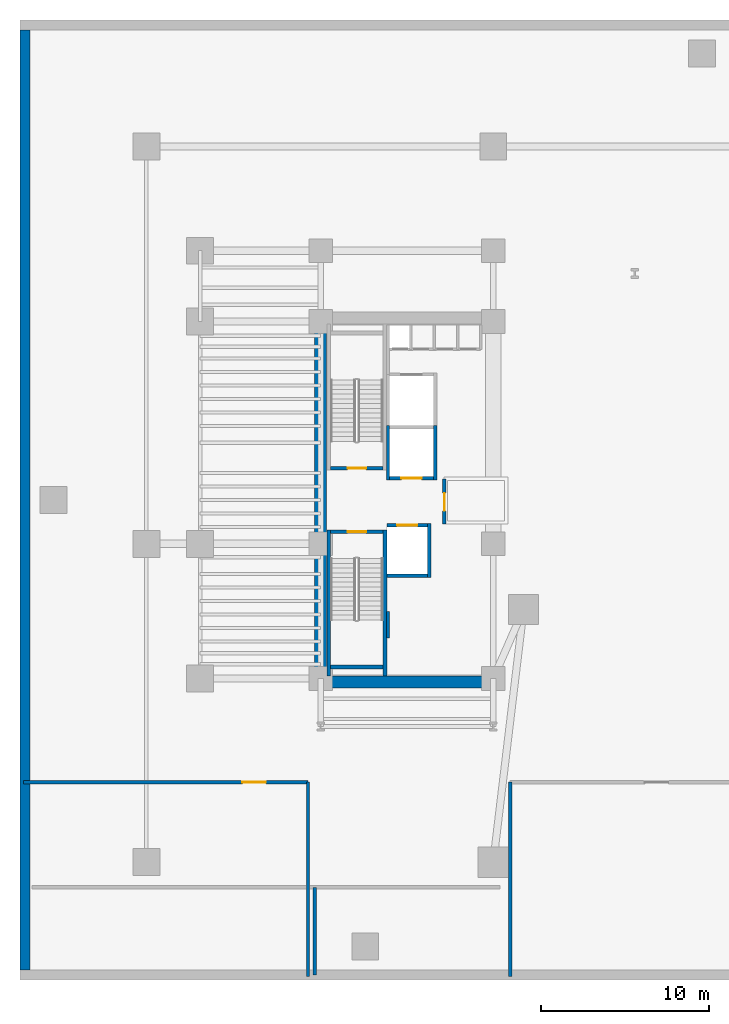
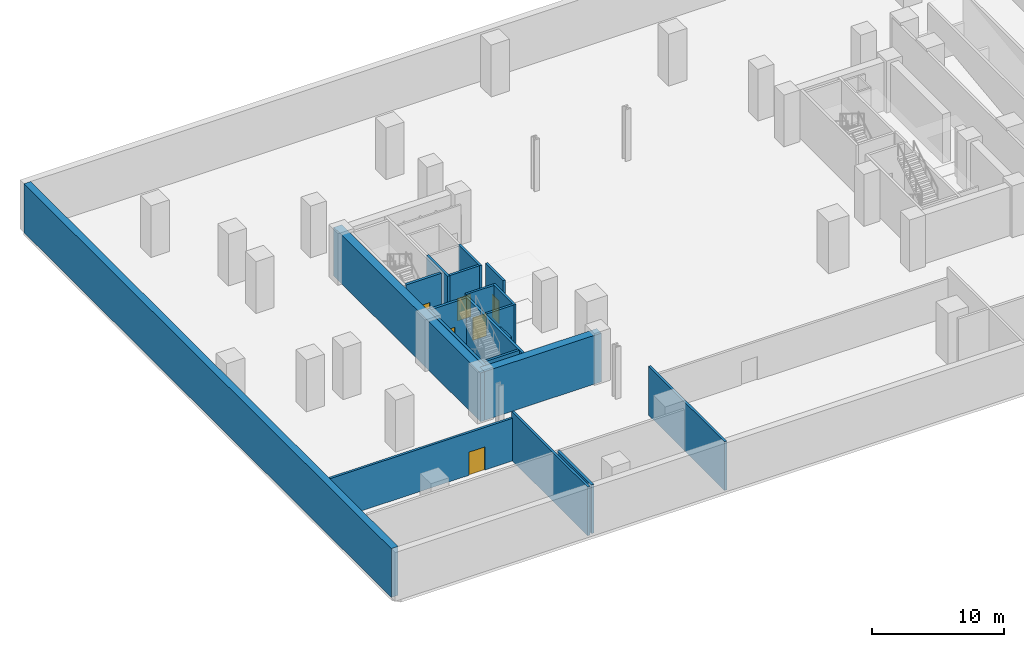
# One storey, part 3 of 10: 20 walls, 6 doors, 6 openings.
"""IFC4 building model written with IfcOpenShell, lengths in metres."""

from ifc_helpers import new_model, si_unit, direction, frame, frame_2d, origin, place, context, subcontext, project, spatial, rectangle, extrude, material, layer, layer_set, type_object, element, fill, save


model = new_model("IFC4")

# Units and contexts
model_context = context("Model", 3, precision=1e-05, world=origin(), true_north=direction((0.0, 1.0)))
body_context = subcontext(model_context, "Body", "Model", "MODEL_VIEW")
ifc_project = project(units=[si_unit("LENGTHUNIT", "METRE"), si_unit("AREAUNIT", "SQUARE_METRE"), si_unit("VOLUMEUNIT", "CUBIC_METRE"), si_unit("PLANEANGLEUNIT", "RADIAN"), si_unit("MASSUNIT", "GRAM", prefix="KILO")], contexts=[model_context])

# Site, building, storey
site_placement = place(None, origin())
site = spatial("IfcSite", under=ifc_project, at=site_placement, CompositionType="ELEMENT")
building_placement = place(site_placement, origin())
building = spatial("IfcBuilding", under=site, at=building_placement, Name="Valdorenza Pilgrim Sanctuary Tower", CompositionType="ELEMENT")
storey_placement = place(building_placement, frame((0.0, 0.0, -4.800048828125)))
storey = spatial("IfcBuildingStorey", under=building, at=storey_placement, Name="B01", CompositionType="ELEMENT", Elevation=-4.800048828125)

# Walls
ifc_material_1 = material(Name="Acoustic twin-stud gypsum partition", Category="gypsum")
ifc_layer_1 = layer(ifc_material_1, 0.159912109375, Name="Acoustic twin-stud gypsum partition")
ifc_layer_set_1 = layer_set([ifc_layer_1], Name="Acoustic twin-stud gypsum partition")
wall_type_1 = type_object("IfcWallType", Name="WAL-COR-160", PredefinedType="PARTITIONING", material=ifc_layer_set_1)
wall_1_placement = place(storey_placement, frame((-18.64990234375, -8.179931640625, 0.0), z_axis=(0.0, 0.0, 1.0), x_axis=(0.0, 1.0, 0.0)))
element("IfcWall", 1, at=wall_1_placement, inside=storey, type_object=wall_type_1, Name="B01 Core A South Lift Hall West Wall", PredefinedType="PARTITIONING", context=body_context, shape_type="SweptSolid", body=[
    extrude(rectangle(XDim=1.559814453125, YDim=0.159912109375, at=frame_2d((0.77978515625, 0.0))), origin(), (0.0, 0.0, 1.0), 4.52001953125),
])
ifc_material_2 = material(Name="Concrete C60/75", Category="concrete")
ifc_layer_2 = layer(ifc_material_2, 0.699951171875, Name="Concrete C60/75")
ifc_layer_set_2 = layer_set([ifc_layer_2], Name="Concrete C60/75")
wall_type_2 = type_object("IfcWallType", Name="WAL-COR-700", PredefinedType="SHEAR", material=ifc_layer_set_2)
wall_2_placement = place(storey_placement, frame((-22.64990234375, -11.14990234375, 0.0), z_axis=(0.0, 0.0, 1.0), x_axis=(0.0, 1.0, 0.0)))
element("IfcWall", 2, at=wall_2_placement, inside=storey, type_object=wall_type_2, Name="B01 Split Core A Shear Wall W", PredefinedType="SHEAR", context=body_context, shape_type="SweptSolid", body=[
    extrude(rectangle(XDim=22.2998046875, YDim=0.699951171875, at=frame_2d((11.14990234375, 0.0))), origin(), (0.0, 0.0, 1.0), 4.52001953125),
])
wall_3_placement = place(storey_placement, frame((-22.64990234375, -10.800048828125, 0.0), z_axis=(0.0, 0.0, 1.0), x_axis=(1.0, 0.0, 0.0)))
element("IfcWall", 3, at=wall_3_placement, inside=storey, type_object=wall_type_2, Name="B01 Split Core A Shear Wall S", PredefinedType="SHEAR", context=body_context, shape_type="SweptSolid", body=[
    extrude(rectangle(XDim=10.25, YDim=0.699951171875, at=frame_2d((5.125, 0.0))), origin(), (0.0, 0.0, 1.0), 4.52001953125),
])

# Wall, opening, door
ifc_material_3 = material(Name="Gypsum shaftwall partition", Category="gypsum")
ifc_layer_3 = layer(ifc_material_3, 0.199951171875, Name="Gypsum shaftwall partition")
ifc_layer_set_3 = layer_set([ifc_layer_3], Name="Gypsum shaftwall partition")
wall_type_3 = type_object("IfcWallType", Name="WAL-FFL-200", PredefinedType="PARTITIONING", material=ifc_layer_set_3)
wall_4_placement = place(storey_placement, frame((-15.300048828125, -1.419921875, 0.0), z_axis=(0.0, 0.0, 1.0), x_axis=(0.0, 1.0, 0.0)))
wall_4 = element("IfcWall", 4, at=wall_4_placement, inside=storey, type_object=wall_type_3, Name="B01 Core A Firefighting Lobby East Wall", PredefinedType="PARTITIONING", context=body_context, shape_type="SweptSolid", body=[
    extrude(rectangle(XDim=2.669921875, YDim=0.199951171875, at=frame_2d((1.3349609375, 0.0))), origin(), (0.0, 0.0, 1.0), 4.52001953125),
])
opening_1_placement = place(wall_4_placement, frame((0.780029296875, 0.0, 0.0)))
opening_1 = element("IfcOpeningElement", 5, at=opening_1_placement, cuts=wall_4, Name="Opening DR-FL1", PredefinedType="OPENING", context=body_context, shape_type="SweptSolid", body=[
    extrude(rectangle(XDim=1.050048828125, YDim=2.14990234375, at=frame_2d((0.52490234375, 1.074951171875))), frame((0.0, 0.11474609375, 0.0), z_axis=(0.0, -1.0, 0.0), x_axis=(1.0, 0.0, 0.0)), (0.0, 0.0, 1.0), 0.229736328125),
])
ifc_material_4 = material(Name="Painted galvanized steel", Category="steel")
door_type_1 = type_object("IfcDoorType", Name="DR-FFL-1050", OperationType="NOTDEFINED", PredefinedType="DOOR", material=ifc_material_4)
door_1_placement = place(opening_1_placement, origin())
door_1 = element("IfcDoor", 6, at=door_1_placement, inside=storey, type_object=door_type_1, Name="B01 Core A Firefighting Lobby Door", OperationType="SINGLE_SWING_RIGHT", OverallHeight=2.14990234375, OverallWidth=1.050048828125, PredefinedType="DOOR", context=body_context, shape_type="SweptSolid", body=[
    extrude(rectangle(XDim=1.050048828125, YDim=2.14990234375, at=frame_2d((0.52490234375, 1.074951171875))), frame((0.0, 0.02490234375, 0.0), z_axis=(0.0, -1.0, 0.0), x_axis=(1.0, 0.0, 0.0)), (0.0, 0.0, 1.0), 0.050048828125),
])
fill(opening_1, door_1)

wall_5_placement = place(storey_placement, frame((-40.300048828125, -16.75, 0.0), z_axis=(0.0, 0.0, 1.0), x_axis=(1.0, 0.0, 0.0)))
wall_5 = element("IfcWall", 7, at=wall_5_placement, inside=storey, type_object=wall_type_3, Name="B01 Basement Plant North Wall", PredefinedType="PARTITIONING", context=body_context, shape_type="SweptSolid", body=[
    extrude(rectangle(XDim=16.900146484375, YDim=0.199951171875, at=frame_2d((8.4501953125, 0.0))), origin(), (0.0, 0.0, 1.0), 3.9560546875),
])
opening_2_placement = place(wall_5_placement, frame((13.0, 0.0, 0.0)))
opening_2 = element("IfcOpeningElement", 8, at=opening_2_placement, cuts=wall_5, Name="Opening DR-PL1", PredefinedType="OPENING", context=body_context, shape_type="SweptSolid", body=[
    extrude(rectangle(XDim=1.39990234375, YDim=2.14990234375, at=frame_2d((0.699951171875, 1.074951171875))), frame((0.0, 0.11474609375, 0.0), z_axis=(0.0, -1.0, 0.0), x_axis=(1.0, 0.0, 0.0)), (0.0, 0.0, 1.0), 0.229736328125),
])
door_type_2 = type_object("IfcDoorType", Name="DR-PLT-1400", OperationType="NOTDEFINED", PredefinedType="DOOR", material=ifc_material_4)
door_2_placement = place(opening_2_placement, frame((1.39990234375, 0.0, 0.0), z_axis=(0.0, 0.0, 1.0), x_axis=(-1.0, 0.0, 0.0)))
door_2 = element("IfcDoor", 9, at=door_2_placement, inside=storey, type_object=door_type_2, Name="B01 Basement Plant Double Fire Door", OperationType="DOUBLE_DOOR_SINGLE_SWING", OverallHeight=2.14990234375, OverallWidth=1.39990234375, PredefinedType="DOOR", context=body_context, shape_type="SweptSolid", body=[
    extrude(rectangle(XDim=1.39990234375, YDim=2.14990234375, at=frame_2d((0.699951171875, 1.074951171875))), frame((0.0, 0.02490234375, 0.0), z_axis=(0.0, -1.0, 0.0), x_axis=(1.0, 0.0, 0.0)), (0.0, 0.0, 1.0), 0.050048828125),
])
fill(opening_2, door_2)

# Walls
for number, where, z_axis, x_axis, name in (
    (10, (-23.39990234375, -28.300048828125, 0.0), (0.0, 0.0, 1.0), (0.0, 1.0, 0.0), "B01 Basement Plant East Wall"),
    (11, (-11.39990234375, -28.300048828125, 0.0), (0.0, 0.0, 1.0), (0.0, 1.0, 0.0), "B01 South-Central Plant West Wall"),
):
    element("IfcWall", number, at=place(storey_placement, frame(where, z_axis=z_axis, x_axis=x_axis)), inside=storey, type_object=wall_type_3, Name=name, PredefinedType="PARTITIONING", context=body_context, shape_type="SweptSolid", body=[
        extrude(rectangle(XDim=11.550048828125, YDim=0.199951171875, at=frame_2d((5.77490234375, 0.0))), origin(), (0.0, 0.0, 1.0), 4.52001953125),
    ])
ifc_material_5 = material(Name="Concrete C50/60", Category="concrete")
ifc_layer_4 = layer(ifc_material_5, 0.60009765625, Name="Concrete C50/60")
ifc_layer_set_4 = layer_set([ifc_layer_4], Name="Concrete C50/60")
wall_type_4 = type_object("IfcWallType", Name="WAL-RET-600", PredefinedType="SOLIDWALL", material=ifc_layer_set_4)
wall_6_placement = place(storey_placement, frame((-40.199951171875, -27.89990234375, 0.0), z_axis=(0.0, 0.0, 1.0), x_axis=(0.0, 1.0, 0.0)))
element("IfcWall", 12, at=wall_6_placement, inside=storey, type_object=wall_type_4, Name="B01 Basement Retaining Wall W", PredefinedType="SOLIDWALL", context=body_context, shape_type="SweptSolid", body=[
    extrude(rectangle(XDim=55.7998046875, YDim=0.60009765625, at=frame_2d((27.89990234375, 0.0))), origin(), (0.0, 0.0, 1.0), 4.52001953125),
])
ifc_material_6 = material(Name="Autoclaved aerated concrete blockwork", Category="masonry")
ifc_layer_5 = layer(ifc_material_6, 0.199951171875, Name="Autoclaved aerated concrete blockwork")
ifc_layer_set_5 = layer_set([ifc_layer_5], Name="Autoclaved aerated concrete blockwork")
wall_type_5 = type_object("IfcWallType", Name="WAL-SHF-200", PredefinedType="MOVABLE", material=ifc_layer_set_5)
for number, where, z_axis, x_axis, name in (
    (13, (-18.64990234375, 1.199951171875, 0.0), (0.0, 0.0, 1.0), (0.0, 1.0, 0.0), "B01 Lift FFL-01 Hoistway Wall West"),
    (14, (-15.85009765625, 1.199951171875, 0.0), (0.0, 0.0, 1.0), (0.0, 1.0, 0.0), "B01 Lift FFL-01 Hoistway Wall East"),
):
    element("IfcWall", number, at=place(storey_placement, frame(where, z_axis=z_axis, x_axis=x_axis)), inside=storey, type_object=wall_type_5, Name=name, PredefinedType="MOVABLE", context=body_context, shape_type="SweptSolid", body=[
        extrude(rectangle(XDim=3.22509765625, YDim=0.199951171875, at=frame_2d((1.612548828125, 0.0))), origin(), (0.0, 0.0, 1.0), 4.52001953125),
    ])

# Wall, opening, door
wall_7_placement = place(storey_placement, frame((-18.550048828125, 1.300048828125, 0.0), z_axis=(0.0, 0.0, 1.0), x_axis=(1.0, 0.0, 0.0)))
wall_7 = element("IfcWall", 15, at=wall_7_placement, inside=storey, type_object=wall_type_5, Name="B01 Lift FFL-01 Hoistway Wall South", PredefinedType="MOVABLE", context=body_context, shape_type="SweptSolid", body=[
    extrude(rectangle(XDim=2.60009765625, YDim=0.199951171875, at=frame_2d((1.300048828125, 0.0))), origin(), (0.0, 0.0, 1.0), 4.52001953125),
])
opening_3_placement = place(wall_7_placement, frame((0.699951171875, 0.0, 0.0)))
opening_3 = element("IfcOpeningElement", 16, at=opening_3_placement, cuts=wall_7, Name="Opening LD-02", PredefinedType="OPENING", context=body_context, shape_type="SweptSolid", body=[
    extrude(rectangle(XDim=1.199951171875, YDim=2.10009765625, at=frame_2d((0.60009765625, 1.050048828125))), frame((0.0, 0.11474609375, 0.0), z_axis=(0.0, -1.0, 0.0), x_axis=(1.0, 0.0, 0.0)), (0.0, 0.0, 1.0), 0.229736328125),
])
ifc_material_7 = material(Name="Brushed stainless steel Grade 316", Category="steel")
door_type_3 = type_object("IfcDoorType", Name="DR-LFT-1200", OperationType="DOUBLE_DOOR_SLIDING", PredefinedType="DOOR", material=ifc_material_7)
door_3_placement = place(opening_3_placement, origin())
door_3 = element("IfcDoor", 17, at=door_3_placement, inside=storey, type_object=door_type_3, Name="B01 Lift FFL-01 Sliding Landing Door", OperationType="DOUBLE_DOOR_SLIDING", OverallHeight=2.10009765625, OverallWidth=1.199951171875, PredefinedType="DOOR", context=body_context, shape_type="SweptSolid", body=[
    extrude(rectangle(XDim=1.199951171875, YDim=2.10009765625, at=frame_2d((0.60009765625, 1.050048828125))), frame((0.0, 0.02490234375, 0.0), z_axis=(0.0, -1.0, 0.0), x_axis=(1.0, 0.0, 0.0)), (0.0, 0.0, 1.0), 0.050048828125),
])
fill(opening_3, door_3)

# Walls
wall_8_placement = place(storey_placement, frame((-16.199951171875, -4.60009765625, 0.0), z_axis=(0.0, 0.0, 1.0), x_axis=(0.0, 1.0, 0.0)))
element("IfcWall", 18, at=wall_8_placement, inside=storey, type_object=wall_type_5, Name="B01 Lift FFL-02 Hoistway Wall East", PredefinedType="MOVABLE", context=body_context, shape_type="SweptSolid", body=[
    extrude(rectangle(XDim=3.2001953125, YDim=0.199951171875, at=frame_2d((1.60009765625, 0.0))), origin(), (0.0, 0.0, 1.0), 4.52001953125),
])
wall_9_placement = place(storey_placement, frame((-18.719970703125, -4.5, 0.0), z_axis=(0.0, 0.0, 1.0), x_axis=(1.0, 0.0, 0.0)))
element("IfcWall", 19, at=wall_9_placement, inside=storey, type_object=wall_type_5, Name="B01 Lift FFL-02 Hoistway Wall South", PredefinedType="MOVABLE", context=body_context, shape_type="SweptSolid", body=[
    extrude(rectangle(XDim=2.419921875, YDim=0.199951171875, at=frame_2d((1.2099609375, 0.0))), origin(), (0.0, 0.0, 1.0), 4.52001953125),
])

# Wall, opening, door
wall_10_placement = place(storey_placement, frame((-18.719970703125, -1.5, 0.0), z_axis=(0.0, 0.0, 1.0), x_axis=(1.0, 0.0, 0.0)))
wall_10 = element("IfcWall", 20, at=wall_10_placement, inside=storey, type_object=wall_type_5, Name="B01 Lift FFL-02 Hoistway Wall North", PredefinedType="MOVABLE", context=body_context, shape_type="SweptSolid", body=[
    extrude(rectangle(XDim=2.419921875, YDim=0.199951171875, at=frame_2d((1.2099609375, 0.0))), origin(), (0.0, 0.0, 1.0), 4.52001953125),
])
opening_4_placement = place(wall_10_placement, frame((0.610107421875, 0.0, 0.0)))
opening_4 = element("IfcOpeningElement", 21, at=opening_4_placement, cuts=wall_10, Name="Opening LD-02", PredefinedType="OPENING", context=body_context, shape_type="SweptSolid", body=[
    extrude(rectangle(XDim=1.199951171875, YDim=2.10009765625, at=frame_2d((0.60009765625, 1.050048828125))), frame((0.0, 0.11474609375, 0.0), z_axis=(0.0, -1.0, 0.0), x_axis=(1.0, 0.0, 0.0)), (0.0, 0.0, 1.0), 0.229736328125),
])
door_4_placement = place(opening_4_placement, origin())
door_4 = element("IfcDoor", 22, at=door_4_placement, inside=storey, type_object=door_type_3, Name="B01 Lift FFL-02 Sliding Landing Door", OperationType="DOUBLE_DOOR_SLIDING", OverallHeight=2.10009765625, OverallWidth=1.199951171875, PredefinedType="DOOR", context=body_context, shape_type="SweptSolid", body=[
    extrude(rectangle(XDim=1.199951171875, YDim=2.10009765625, at=frame_2d((0.60009765625, 1.050048828125))), frame((0.0, 0.02490234375, 0.0), z_axis=(0.0, -1.0, 0.0), x_axis=(1.0, 0.0, 0.0)), (0.0, 0.0, 1.0), 0.050048828125),
])
fill(opening_4, door_4)

ifc_material_8 = material(Name="Concrete C40/50", Category="concrete")
ifc_layer_6 = layer(ifc_material_8, 0.219970703125, Name="Concrete C40/50")
ifc_layer_set_6 = layer_set([ifc_layer_6], Name="Concrete C40/50")
wall_type_6 = type_object("IfcWallType", Name="WAL-STR-SHF-220", PredefinedType="SHEAR", material=ifc_layer_set_6)
wall_11_placement = place(storey_placement, frame((-22.050048828125, 1.889892578125, 0.0), z_axis=(0.0, 0.0, 1.0), x_axis=(1.0, 0.0, 0.0)))
wall_11 = element("IfcWall", 23, at=wall_11_placement, inside=storey, type_object=wall_type_6, Name="B01 ST-A1 Structural Stairwell Wall S", PredefinedType="SHEAR", context=body_context, shape_type="SweptSolid", body=[
    extrude(rectangle(XDim=3.110107421875, YDim=0.219970703125, at=frame_2d((1.55517578125, 0.0))), origin(), (0.0, 0.0, 1.0), 4.52001953125),
])
opening_5_placement = place(wall_11_placement, frame((1.0, 0.0, 0.0)))
opening_5 = element("IfcOpeningElement", 24, at=opening_5_placement, cuts=wall_11, Name="Opening DR-ST1", PredefinedType="OPENING", context=body_context, shape_type="SweptSolid", body=[
    extrude(rectangle(XDim=1.10009765625, YDim=2.14990234375, at=frame_2d((0.550048828125, 1.074951171875))), frame((0.0, 0.125, 0.0), z_axis=(0.0, -1.0, 0.0), x_axis=(1.0, 0.0, 0.0)), (0.0, 0.0, 1.0), 0.249755859375),
])
door_type_4 = type_object("IfcDoorType", Name="DR-STAIR-1100", OperationType="NOTDEFINED", PredefinedType="DOOR", material=ifc_material_4)
door_5_placement = place(opening_5_placement, frame((1.10009765625, 0.0, 0.0), z_axis=(0.0, 0.0, 1.0), x_axis=(-1.0, 0.0, 0.0)))
door_5 = element("IfcDoor", 25, at=door_5_placement, inside=storey, type_object=door_type_4, Name="B01 Exit Stair ST-A1 Door", OperationType="SINGLE_SWING_LEFT", OverallHeight=2.14990234375, OverallWidth=1.10009765625, PredefinedType="DOOR", context=body_context, shape_type="SweptSolid", body=[
    extrude(rectangle(XDim=1.10009765625, YDim=2.14990234375, at=frame_2d((0.550048828125, 1.074951171875))), frame((0.0, 0.02490234375, 0.0), z_axis=(0.0, -1.0, 0.0), x_axis=(1.0, 0.0, 0.0)), (0.0, 0.0, 1.0), 0.050048828125),
])
fill(opening_5, door_5)

# Walls
for number, where, z_axis, x_axis, name in (
    (26, (-22.159912109375, -10.449951171875, 0.0), (0.0, 0.0, 1.0), (0.0, 1.0, 0.0), "B01 ST-A2 Structural Stairwell Wall W"),
    (27, (-18.830078125, -10.449951171875, 0.0), (0.0, 0.0, 1.0), (0.0, 1.0, 0.0), "B01 ST-A2 Structural Stairwell Wall E"),
):
    element("IfcWall", number, at=place(storey_placement, frame(where, z_axis=z_axis, x_axis=x_axis)), inside=storey, type_object=wall_type_6, Name=name, PredefinedType="SHEAR", context=body_context, shape_type="SweptSolid", body=[
        extrude(rectangle(XDim=8.669921875, YDim=0.219970703125, at=frame_2d((4.3349609375, 0.0))), origin(), (0.0, 0.0, 1.0), 4.52001953125),
    ])
wall_12_placement = place(storey_placement, frame((-22.050048828125, -9.909912109375, 0.0), z_axis=(0.0, 0.0, 1.0), x_axis=(1.0, 0.0, 0.0)))
element("IfcWall", 28, at=wall_12_placement, inside=storey, type_object=wall_type_6, Name="B01 ST-A2 Structural Stairwell Wall S", PredefinedType="SHEAR", context=body_context, shape_type="SweptSolid", body=[
    extrude(rectangle(XDim=3.110107421875, YDim=0.219970703125, at=frame_2d((1.55517578125, 0.0))), origin(), (0.0, 0.0, 1.0), 4.52001953125),
])

# Wall, opening, door
wall_13_placement = place(storey_placement, frame((-22.050048828125, -1.889892578125, 0.0), z_axis=(0.0, 0.0, 1.0), x_axis=(1.0, 0.0, 0.0)))
wall_13 = element("IfcWall", 29, at=wall_13_placement, inside=storey, type_object=wall_type_6, Name="B01 ST-A2 Structural Stairwell Wall N", PredefinedType="SHEAR", context=body_context, shape_type="SweptSolid", body=[
    extrude(rectangle(XDim=3.110107421875, YDim=0.219970703125, at=frame_2d((1.55517578125, 0.0))), origin(), (0.0, 0.0, 1.0), 4.52001953125),
])
opening_6_placement = place(wall_13_placement, frame((1.0, 0.0, 0.0)))
opening_6 = element("IfcOpeningElement", 30, at=opening_6_placement, cuts=wall_13, Name="Opening DR-ST1", PredefinedType="OPENING", context=body_context, shape_type="SweptSolid", body=[
    extrude(rectangle(XDim=1.10009765625, YDim=2.14990234375, at=frame_2d((0.550048828125, 1.074951171875))), frame((0.0, 0.125, 0.0), z_axis=(0.0, -1.0, 0.0), x_axis=(1.0, 0.0, 0.0)), (0.0, 0.0, 1.0), 0.249755859375),
])
door_6_placement = place(opening_6_placement, origin())
door_6 = element("IfcDoor", 31, at=door_6_placement, inside=storey, type_object=door_type_4, Name="B01 Exit Stair ST-A2 Door", OperationType="SINGLE_SWING_RIGHT", OverallHeight=2.14990234375, OverallWidth=1.10009765625, PredefinedType="DOOR", context=body_context, shape_type="SweptSolid", body=[
    extrude(rectangle(XDim=1.10009765625, YDim=2.14990234375, at=frame_2d((0.550048828125, 1.074951171875))), frame((0.0, 0.02490234375, 0.0), z_axis=(0.0, -1.0, 0.0), x_axis=(1.0, 0.0, 0.0)), (0.0, 0.0, 1.0), 0.050048828125),
])
fill(opening_6, door_6)

# Wall
wall_14_placement = place(storey_placement, frame((-23.0, -28.199951171875, 0.0), z_axis=(0.0, 0.0, 1.0), x_axis=(0.0, 1.0, 0.0)))
element("IfcWall", 32, at=wall_14_placement, inside=storey, type_object=wall_type_6, Name="B01 Forecourt Cross Bearing Wall SWX", PredefinedType="SHEAR", context=body_context, shape_type="SweptSolid", body=[
    extrude(rectangle(XDim=5.199951171875, YDim=0.219970703125, at=frame_2d((2.60009765625, 0.0))), origin(), (0.0, 0.0, 1.0), 4.52001953125),
])

save(model, "model.ifc")
